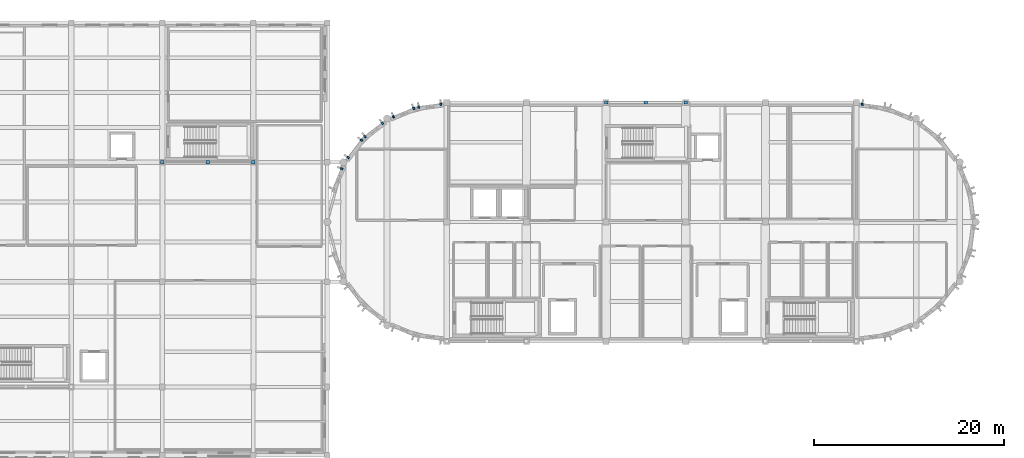
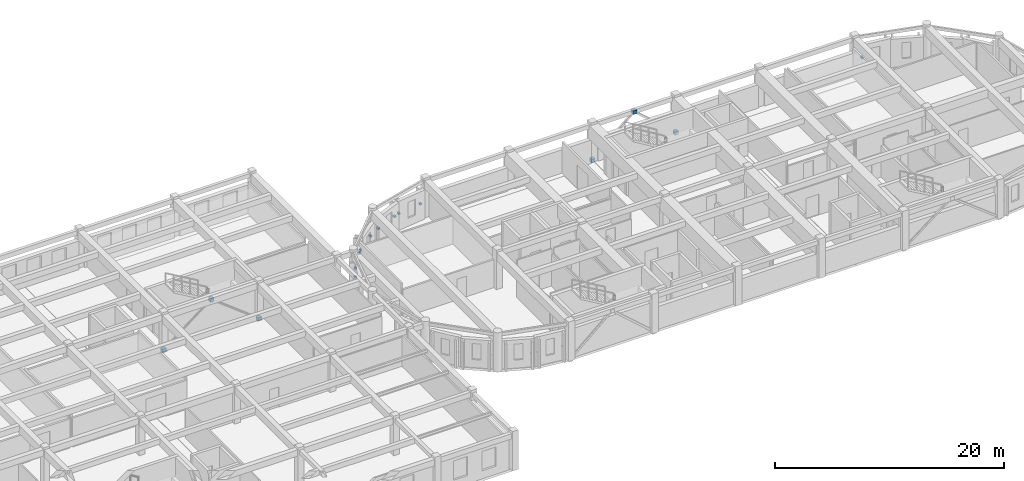
# One storey, part 21 of 31: 16 discrete accessories.
"""IFC4 building model written with IfcOpenShell, lengths in metres."""

from ifc_helpers import new_model, si_unit, direction, frame, origin, origin_2d, place, context, subcontext, project, spatial, rectangle, extrude, material, type_object, element, save


model = new_model("IFC4")

# Units and contexts
model_context = context("Model", 3, precision=1e-05, world=origin(), true_north=direction((0.0, 1.0)))
body_context = subcontext(model_context, "Body", "Model", "MODEL_VIEW")
ifc_project = project(units=[si_unit("LENGTHUNIT", "METRE"), si_unit("AREAUNIT", "SQUARE_METRE"), si_unit("VOLUMEUNIT", "CUBIC_METRE"), si_unit("PLANEANGLEUNIT", "RADIAN"), si_unit("MASSUNIT", "GRAM", prefix="KILO")], contexts=[model_context])

# Site, building, storey
site_placement = place(None, origin())
site = spatial("IfcSite", under=ifc_project, at=site_placement, CompositionType="ELEMENT")
building_placement = place(site_placement, origin())
building = spatial("IfcBuilding", under=site, at=building_placement, Name="Tarnavel Promenade Courthouse", CompositionType="ELEMENT")
storey_placement = place(building_placement, frame((0.0, 0.0, 18.60009765625)))
storey = spatial("IfcBuildingStorey", under=building, at=storey_placement, Name="L05", CompositionType="ELEMENT", Elevation=18.60009765625)

# Discrete accessories
ifc_material = material(Name="Steel S355J2", Category="steel")
discrete_accessory_type_1 = type_object("IfcDiscreteAccessoryType", Name="Steel S355J2 Facade Pier Anchor Bracket", PredefinedType="BRACKET", material=ifc_material)
for number, where, z_axis, x_axis, name in (
    (1, (58.173583984375, 104.216796875, 1.455078125), (0.0, 0.0, 1.0), (-0.991444861374, -0.13052619222, 0.0), "L05 Drum Pier Bracket 0135"),
    (2, (55.82958984375, 103.908203125, 1.455078125), (0.0, 0.0, 1.0), (-0.991444861374, -0.13052619222, 0.0), "L05 Drum Pier Bracket 0136"),
    (3, (55.318603515625, 103.77099609375, 1.40478515625), (0.0, 0.0, 1.0), (-0.923879532511, -0.382683432365, 0.0), "L05 Drum Pier Bracket 0137"),
    (4, (53.180419921875, 102.885498046875, 1.40478515625), (0.0, 0.0, 1.0), (-0.923879532511, -0.382683432365, 0.0), "L05 Drum Pier Bracket 0138"),
    (5, (52.009521484375, 102.20947265625, 1.40478515625), (0.0, 0.0, 1.0), (-0.793353340291, -0.608761429009, 0.0), "L05 Drum Pier Bracket 0139"),
    (6, (50.173583984375, 100.80078125, 1.40478515625), (0.0, 0.0, 1.0), (-0.793353340291, -0.608761429009, 0.0), "L05 Drum Pier Bracket 0140"),
    (7, (49.79931640625, 100.426513671875, 1.455078125), (0.0, 0.0, 1.0), (-0.608761429009, -0.793353340291, 0.0), "L05 Drum Pier Bracket 0141"),
    (8, (48.390380859375, 98.590576171875, 1.455078125), (0.0, 0.0, 1.0), (-0.608761429009, -0.793353340291, 0.0), "L05 Drum Pier Bracket 0142"),
    (9, (47.714599609375, 97.419677734375, 1.455078125), (0.0, 0.0, 1.0), (-0.382683432365, -0.923879532511, 0.0), "L05 Drum Pier Bracket 0143"),
    (10, (102.62646484375, 104.216796875, 1.455078125), (0.0, 0.0, 1.0), (-0.991444861374, 0.13052619222, 0.0), "L05 Drum Pier Bracket 0178"),
):
    element("IfcDiscreteAccessory", number, at=place(storey_placement, frame(where, z_axis=z_axis, x_axis=x_axis)), inside=storey, type_object=discrete_accessory_type_1, Name=name, PredefinedType="BRACKET", context=body_context, shape_type="SweptSolid", body=[
        extrude(rectangle(XDim=0.199951171875, YDim=0.260009765625, at=origin_2d()), origin(), (0.0, 0.0, 1.0), 0.179931640625),
    ])
discrete_accessory_type_2 = type_object("IfcDiscreteAccessoryType", Name="Steel S355J2 Structural Connection Bracket", PredefinedType="BRACKET", material=ifc_material)
for number, where, z_axis, x_axis, name in (
    (11, (75.60009765625, 104.39990234375, -0.18994140625), (0.0, 0.0, 1.0), (1.0, 0.0, 0.0), "L05 V5 Chevron Brace Gusset Node 023-L"),
    (12, (79.800048828125, 104.39990234375, 3.514892578125), (0.0, 0.0, 1.0), (1.0, 0.0, 0.0), "L05 V5 Chevron Brace Gusset Node 023-M"),
    (13, (84.0, 104.39990234375, -0.18994140625), (0.0, 0.0, 1.0), (1.0, 0.0, 0.0), "L05 V5 Chevron Brace Gusset Node 023-R"),
    (14, (28.800048828125, 98.10009765625, -0.18994140625), (0.0, 0.0, 1.0), (1.0, 0.0, 0.0), "L05 V2 Chevron Brace Gusset Node 040-L"),
    (15, (33.60009765625, 98.10009765625, 3.514892578125), (0.0, 0.0, 1.0), (1.0, 0.0, 0.0), "L05 V2 Chevron Brace Gusset Node 040-M"),
    (16, (38.39990234375, 98.10009765625, -0.18994140625), (0.0, 0.0, 1.0), (1.0, 0.0, 0.0), "L05 V2 Chevron Brace Gusset Node 040-R"),
):
    element("IfcDiscreteAccessory", number, at=place(storey_placement, frame(where, z_axis=z_axis, x_axis=x_axis)), inside=storey, type_object=discrete_accessory_type_2, Name=name, PredefinedType="BRACKET", context=body_context, shape_type="SweptSolid", body=[
        extrude(rectangle(XDim=0.3798828125, YDim=0.360107421875, at=origin_2d()), origin(), (0.0, 0.0, 1.0), 0.3798828125),
    ])

save(model, "model.ifc")
